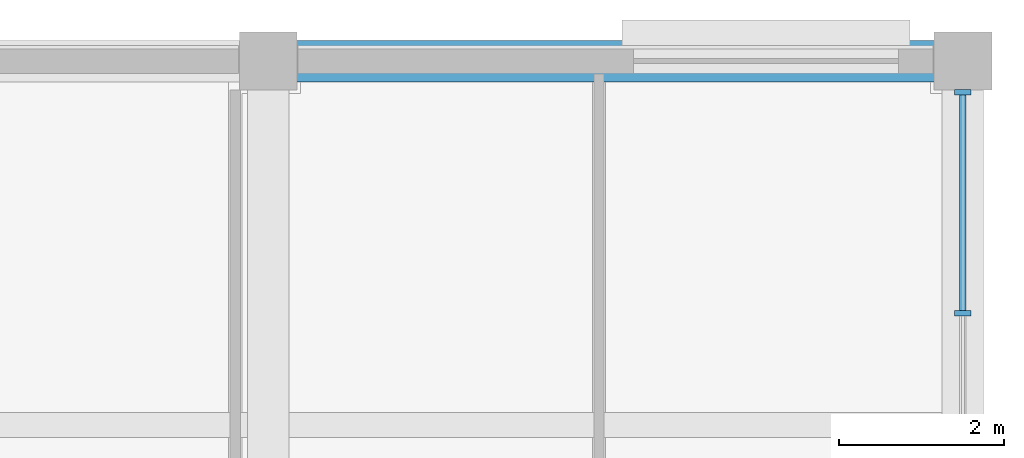
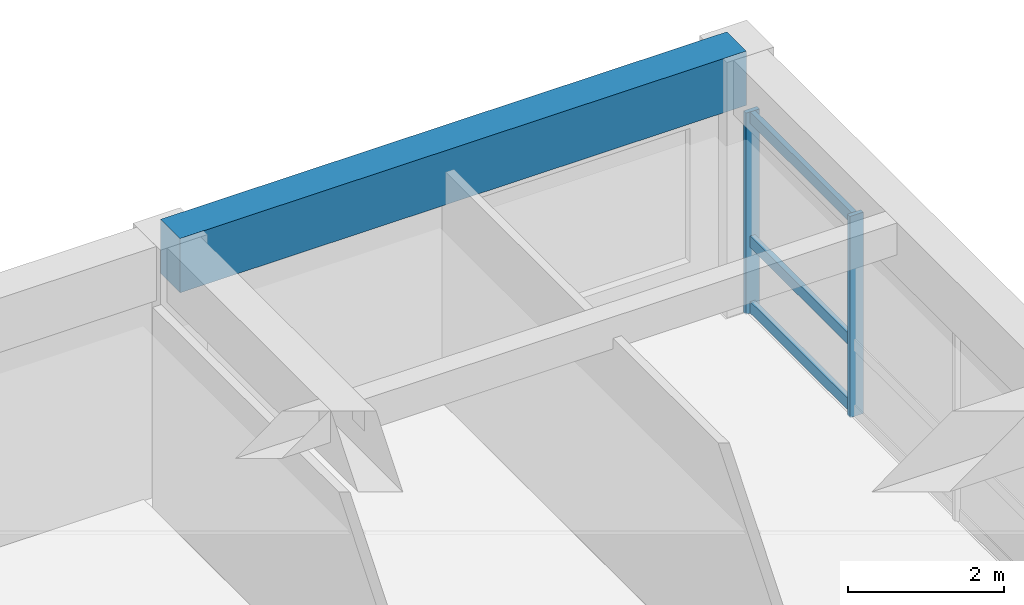
# One storey, part 6 of 14: 5 members, 1 beam, 1 element without a shape of its own.
"""IFC4 building model written with IfcOpenShell, lengths in metres."""

from ifc_helpers import new_model, si_unit, direction, frame, origin, origin_2d, place, context, subcontext, project, spatial, rectangle, extrude, material, material_profile, profile_set, type_object, element, aggregate, save


model = new_model("IFC4")

# Units and contexts
model_context = context("Model", 3, precision=1e-05, world=origin(), true_north=direction((0.0, 1.0)))
body_context = subcontext(model_context, "Body", "Model", "MODEL_VIEW")
ifc_project = project(units=[si_unit("LENGTHUNIT", "METRE"), si_unit("AREAUNIT", "SQUARE_METRE"), si_unit("VOLUMEUNIT", "CUBIC_METRE"), si_unit("PLANEANGLEUNIT", "RADIAN"), si_unit("MASSUNIT", "GRAM", prefix="KILO")], contexts=[model_context])

# Site, building, storey
site_placement = place(None, origin())
site = spatial("IfcSite", under=ifc_project, at=site_placement, CompositionType="ELEMENT")
building_placement = place(site_placement, origin())
building = spatial("IfcBuilding", under=site, at=building_placement, Name="Kemercrest Conservatory and Botanical Centre", CompositionType="ELEMENT")
storey_placement = place(building_placement, frame((0.0, 0.0, 28.800048828125)))
storey = spatial("IfcBuildingStorey", under=building, at=storey_placement, Name="L07", CompositionType="ELEMENT", Elevation=28.800048828125)

# Curtain wall, members
ifc_material_1 = material(Name="Thermally broken aluminium and triple low-e glazing", Category="aluminium")
curtain_wall_type = type_object("IfcCurtainWallType", Name="CW-02", PredefinedType="USERDEFINED", material=ifc_material_1)
curtain_wall_placement = place(storey_placement, origin())
curtain_wall = element("IfcCurtainWall", 1, at=curtain_wall_placement, inside=storey, type_object=curtain_wall_type, Name="Unitised curtain wall CW-02 (CW:L07:V4-091)", ObjectType="UNITISED CURTAIN WALL", PredefinedType="USERDEFINED")
ifc_material_2 = material(Name="Thermally broken anodized aluminium 6063-T6", Category="aluminium")
ifc_material_profile_1 = material_profile(ifc_material_2, rectangle(XDim=0.199951171875, YDim=0.06494140625, at=origin_2d()), Name="AL MULLION 65x200")
ifc_profile_set_1 = profile_set([ifc_material_profile_1], Name="Thermally broken anodized aluminium 6063-T6")
member_type_1 = type_object("IfcMemberType", Name="CW-M200", PredefinedType="MULLION", material=ifc_profile_set_1)
member_1_placement = place(storey_placement, frame((176.0, 119.3515625, 0.0), z_axis=(0.0, 0.0, 1.0), x_axis=(-1.0, 0.0, 0.0)))
member_1 = element("IfcMember", 2, at=member_1_placement, type_object=member_type_1, Name="CW-02 mullion 3", PredefinedType="MULLION", context=body_context, shape_type="SweptSolid", body=[
    extrude(rectangle(XDim=0.199951171875, YDim=0.06494140625, at=origin_2d()), origin(), (0.0, 0.0, 1.0), 3.155029296875),
])
member_2_placement = place(storey_placement, frame((176.0, 122.0224609375, 0.0), z_axis=(0.0, 0.0, 1.0), x_axis=(-1.0, 0.0, 0.0)))
member_2 = element("IfcMember", 3, at=member_2_placement, type_object=member_type_1, Name="CW-02 mullion 4", PredefinedType="MULLION", context=body_context, shape_type="SweptSolid", body=[
    extrude(rectangle(XDim=0.199951171875, YDim=0.06494140625, at=origin_2d()), origin(), (0.0, 0.0, 1.0), 3.155029296875),
])
ifc_material_profile_2 = material_profile(ifc_material_2, rectangle(XDim=0.074951171875, YDim=0.179931640625, at=origin_2d()), Name="AL TRANSOM 75x180")
ifc_profile_set_2 = profile_set([ifc_material_profile_2], Name="Thermally broken anodized aluminium 6063-T6")
member_type_2 = type_object("IfcMemberType", Name="CW-T180", PredefinedType="USERDEFINED", material=ifc_profile_set_2)
member_3_placement = place(storey_placement, frame((176.0, 119.38427734375, 0.08984375), z_axis=(0.0, 1.0, 0.0), x_axis=(-1.0, 0.0, 0.0)))
member_3 = element("IfcMember", 4, at=member_3_placement, type_object=member_type_2, Name="CW-02 transom 3.1", ObjectType="TRANSOM", PredefinedType="USERDEFINED", context=body_context, shape_type="SweptSolid", body=[
    extrude(rectangle(XDim=0.074951171875, YDim=0.179931640625, at=origin_2d()), origin(), (0.0, 0.0, 1.0), 2.605712890625),
])
member_4_placement = place(storey_placement, frame((176.0, 119.38427734375, 1.119873046875), z_axis=(0.0, 1.0, 0.0), x_axis=(-1.0, 0.0, 0.0)))
member_4 = element("IfcMember", 5, at=member_4_placement, type_object=member_type_2, Name="CW-02 transom 3.2", ObjectType="TRANSOM", PredefinedType="USERDEFINED", context=body_context, shape_type="SweptSolid", body=[
    extrude(rectangle(XDim=0.074951171875, YDim=0.179931640625, at=origin_2d()), origin(), (0.0, 0.0, 1.0), 2.605712890625),
])
member_5_placement = place(storey_placement, frame((176.0, 119.38427734375, 3.06494140625), z_axis=(0.0, 1.0, 0.0), x_axis=(-1.0, 0.0, 0.0)))
member_5 = element("IfcMember", 6, at=member_5_placement, type_object=member_type_2, Name="CW-02 transom 3.3", ObjectType="TRANSOM", PredefinedType="USERDEFINED", context=body_context, shape_type="SweptSolid", body=[
    extrude(rectangle(XDim=0.074951171875, YDim=0.179931640625, at=origin_2d()), origin(), (0.0, 0.0, 1.0), 2.605712890625),
])
aggregate(curtain_wall, [member_1, member_2, member_3, member_4, member_5])

# Beam
ifc_material_3 = material(Name="Concrete C50/60", Category="concrete")
ifc_material_profile_3 = material_profile(ifc_material_3, rectangle(XDim=0.5, YDim=0.85009765625, at=origin_2d()), Name="RC 500x850")
ifc_profile_set_3 = profile_set([ifc_material_profile_3], Name="Concrete C50/60")
beam_type = type_object("IfcBeamType", Name="SP-RC85", PredefinedType="SPANDREL", material=ifc_profile_set_3)
beam_placement = place(storey_placement, frame((167.60009765625, 122.39990234375, 3.574951171875), z_axis=(1.0, 0.0, 0.0), x_axis=(0.0, 1.0, 0.0)))
element("IfcBeam", 7, at=beam_placement, inside=storey, type_object=beam_type, Name="V4-L08 beam SP-RC85 P/20-21", PredefinedType="SPANDREL", context=body_context, shape_type="SweptSolid", body=[
    extrude(rectangle(XDim=0.5, YDim=0.85009765625, at=origin_2d()), origin(), (0.0, 0.0, 1.0), 8.39990234375),
])

save(model, "model.ifc")
